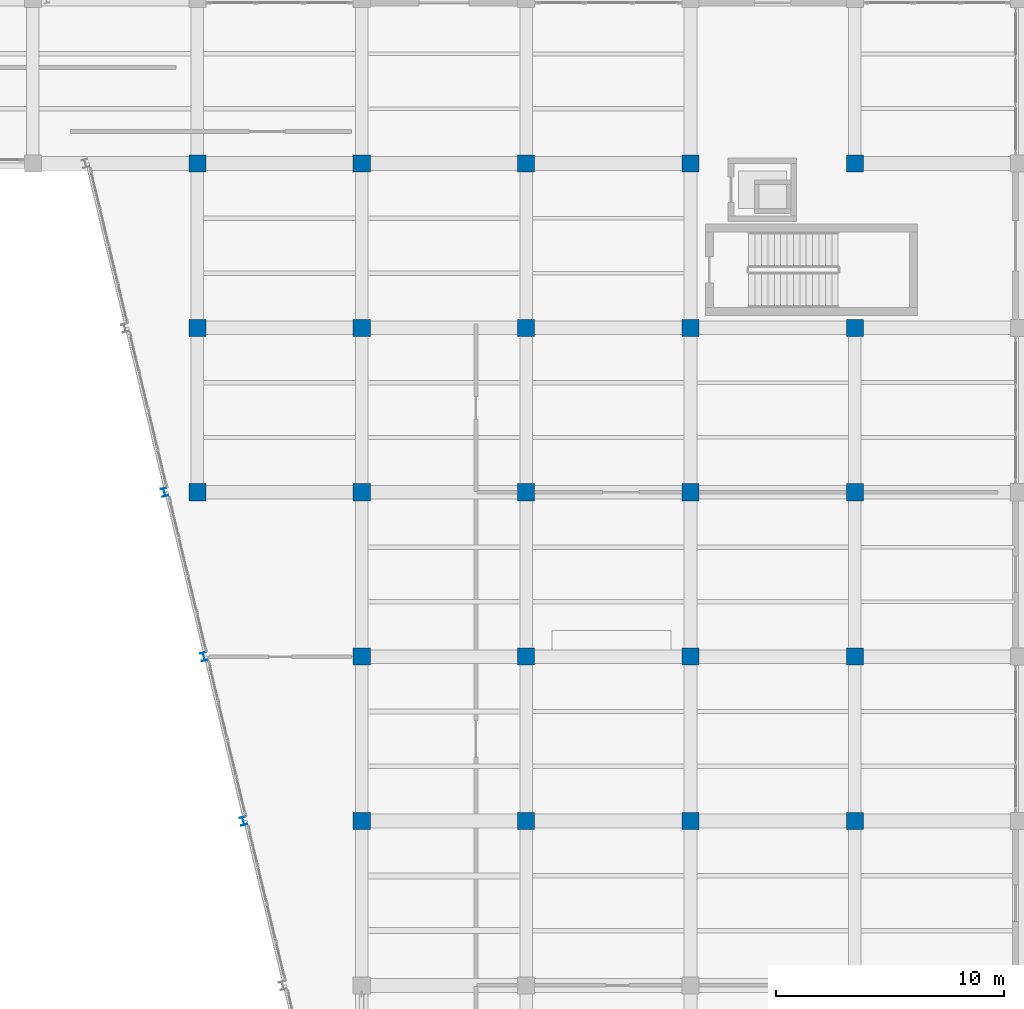
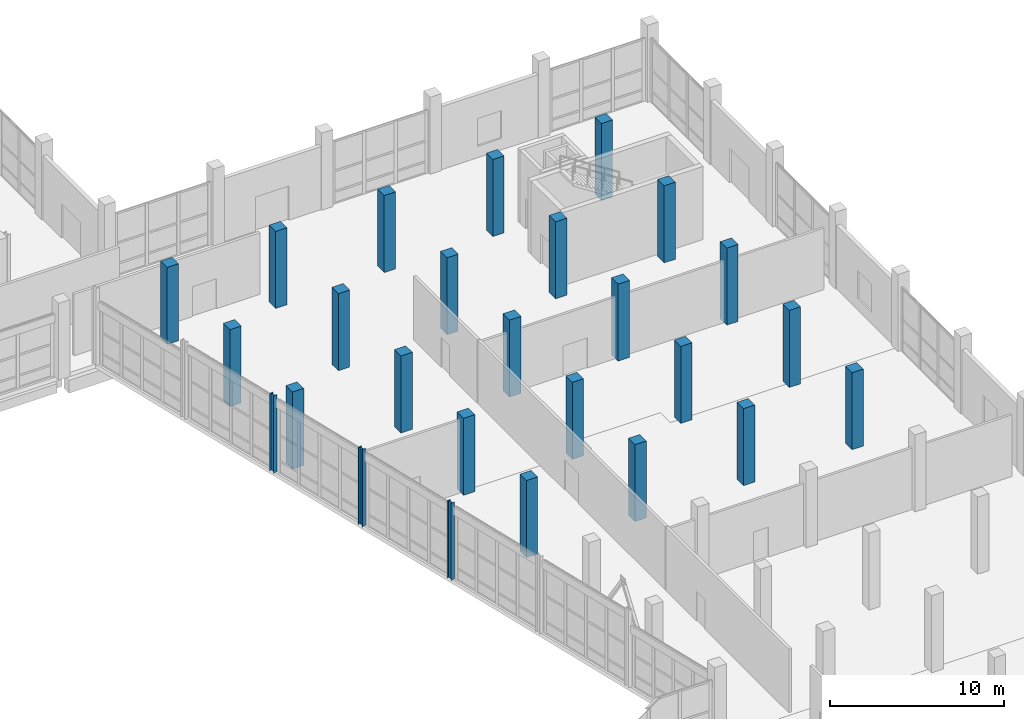
# One storey, part 7 of 137: 26 columns.
"""IFC4 building model written with IfcOpenShell, lengths in metres."""

from ifc_helpers import new_model, si_unit, direction, frame, origin, origin_2d, place, context, subcontext, project, spatial, rectangle, i_section, extrude, material, material_profile, profile_set, type_object, element, save


model = new_model("IFC4")

# Units and contexts
model_context = context("Model", 3, precision=1e-05, world=origin(), true_north=direction((0.0, 1.0)))
body_context = subcontext(model_context, "Body", "Model", "MODEL_VIEW")
ifc_project = project(units=[si_unit("LENGTHUNIT", "METRE"), si_unit("AREAUNIT", "SQUARE_METRE"), si_unit("VOLUMEUNIT", "CUBIC_METRE"), si_unit("PLANEANGLEUNIT", "RADIAN"), si_unit("MASSUNIT", "GRAM", prefix="KILO")], contexts=[model_context])

# Site, building, storey
site_placement = place(None, origin())
site = spatial("IfcSite", under=ifc_project, at=site_placement, CompositionType="ELEMENT")
building_placement = place(site_placement, origin())
building = spatial("IfcBuilding", under=site, at=building_placement, Name="Kalmorath City Hall", CompositionType="ELEMENT")
storey_placement = place(building_placement, origin())
storey = spatial("IfcBuildingStorey", under=building, at=storey_placement, Name="L00", CompositionType="ELEMENT", Elevation=0.0)

# Columns
ifc_material_1 = material(Name="Concrete C50/60", Category="concrete")
ifc_material_profile_1 = material_profile(ifc_material_1, rectangle(XDim=0.75, YDim=0.75, at=origin_2d()), Name="RC-COL-750X750")
ifc_profile_set_1 = profile_set([ifc_material_profile_1], Name="Concrete C50/60")
column_type_1 = type_object("IfcColumnType", Name="Concrete column 750x750", PredefinedType="COLUMN", material=ifc_profile_set_1)
for number, where, z_axis, x_axis, name in (
    (1, (129.60009765625, 79.199951171875, 0.0), (0.0, 0.0, 1.0), (1.0, 0.0, 0.0), "L00 column C3 (19/12)"),
    (2, (129.60009765625, 86.39990234375, 0.0), (0.0, 0.0, 1.0), (1.0, 0.0, 0.0), "L00 column C3 (19/13)"),
    (3, (129.60009765625, 93.60009765625, 0.0), (0.0, 0.0, 1.0), (1.0, 0.0, 0.0), "L00 column C3 (19/14)"),
    (4, (136.800048828125, 64.800048828125, 0.0), (0.0, 0.0, 1.0), (1.0, 0.0, 0.0), "L00 column C3 (20/10)"),
    (5, (136.800048828125, 72.0, 0.0), (0.0, 0.0, 1.0), (1.0, 0.0, 0.0), "L00 column C3 (20/11)"),
    (6, (136.800048828125, 79.199951171875, 0.0), (0.0, 0.0, 1.0), (1.0, 0.0, 0.0), "L00 column C3 (20/12)"),
    (7, (136.800048828125, 86.39990234375, 0.0), (0.0, 0.0, 1.0), (1.0, 0.0, 0.0), "L00 column C3 (20/13)"),
    (8, (136.800048828125, 93.60009765625, 0.0), (0.0, 0.0, 1.0), (1.0, 0.0, 0.0), "L00 column C3 (20/14)"),
    (9, (144.0, 64.800048828125, 0.0), (0.0, 0.0, 1.0), (1.0, 0.0, 0.0), "L00 column C3 (21/10)"),
    (10, (144.0, 72.0, 0.0), (0.0, 0.0, 1.0), (1.0, 0.0, 0.0), "L00 column C3 (21/11)"),
    (11, (144.0, 79.199951171875, 0.0), (0.0, 0.0, 1.0), (1.0, 0.0, 0.0), "L00 column C3 (21/12)"),
    (12, (144.0, 86.39990234375, 0.0), (0.0, 0.0, 1.0), (1.0, 0.0, 0.0), "L00 column C3 (21/13)"),
    (13, (144.0, 93.60009765625, 0.0), (0.0, 0.0, 1.0), (1.0, 0.0, 0.0), "L00 column C3 (21/14)"),
    (14, (151.199951171875, 64.800048828125, 0.0), (0.0, 0.0, 1.0), (1.0, 0.0, 0.0), "L00 column C3 (22/10)"),
    (15, (151.199951171875, 72.0, 0.0), (0.0, 0.0, 1.0), (1.0, 0.0, 0.0), "L00 column C3 (22/11)"),
    (16, (151.199951171875, 79.199951171875, 0.0), (0.0, 0.0, 1.0), (1.0, 0.0, 0.0), "L00 column C3 (22/12)"),
    (17, (151.199951171875, 86.39990234375, 0.0), (0.0, 0.0, 1.0), (1.0, 0.0, 0.0), "L00 column C3 (22/13)"),
    (18, (151.199951171875, 93.60009765625, 0.0), (0.0, 0.0, 1.0), (1.0, 0.0, 0.0), "L00 column C3 (22/14)"),
    (19, (158.39990234375, 64.800048828125, 0.0), (0.0, 0.0, 1.0), (1.0, 0.0, 0.0), "L00 column C3 (23/10)"),
    (20, (158.39990234375, 72.0, 0.0), (0.0, 0.0, 1.0), (1.0, 0.0, 0.0), "L00 column C3 (23/11)"),
    (21, (158.39990234375, 79.199951171875, 0.0), (0.0, 0.0, 1.0), (1.0, 0.0, 0.0), "L00 column C3 (23/12)"),
    (22, (158.39990234375, 86.39990234375, 0.0), (0.0, 0.0, 1.0), (1.0, 0.0, 0.0), "L00 column C3 (23/13)"),
    (23, (158.39990234375, 93.60009765625, 0.0), (0.0, 0.0, 1.0), (1.0, 0.0, 0.0), "L00 column C3 (23/14)"),
):
    element("IfcColumn", number, at=place(storey_placement, frame(where, z_axis=z_axis, x_axis=x_axis)), inside=storey, type_object=column_type_1, Name=name, PredefinedType="COLUMN", context=body_context, shape_type="SweptSolid", body=[
        extrude(rectangle(XDim=0.75, YDim=0.75, at=origin_2d()), origin(), (0.0, 0.0, 1.0), 5.39990234375),
    ])
ifc_material_2 = material(Name="Steel ASTM A992 Grade 50", Category="steel")
ifc_material_profile_2 = material_profile(ifc_material_2, i_section(OverallWidth=0.256103515625, OverallDepth=0.360107421875, WebThickness=0.011474609375, FlangeThickness=0.02001953125, FilletRadius=0.014892578125, at=origin_2d()), Name="W14X74")
ifc_profile_set_2 = profile_set([ifc_material_profile_2], Name="Steel ASTM A992 Grade 50")
column_type_2 = type_object("IfcColumnType", Name="Steel wide-flange column W14X74", PredefinedType="COLUMN", material=ifc_profile_set_2)
for number, where, z_axis, x_axis, name in (
    (24, (131.6142578125, 64.800048828125, 0.0), (0.0, 0.0, 1.0), (0.972369920398, 0.233445363856, 0.0), "L00 library splay column SC4-4"),
    (25, (129.8857421875, 72.0, 0.0), (0.0, 0.0, 1.0), (0.972369920398, 0.233445363856, 0.0), "L00 library splay column SC4-5"),
    (26, (128.1572265625, 79.199951171875, 0.0), (0.0, 0.0, 1.0), (0.972369920398, 0.233445363856, 0.0), "L00 library splay column SC4-6"),
):
    element("IfcColumn", number, at=place(storey_placement, frame(where, z_axis=z_axis, x_axis=x_axis)), inside=storey, type_object=column_type_2, Name=name, PredefinedType="COLUMN", context=body_context, shape_type="SweptSolid", body=[
        extrude(i_section(OverallWidth=0.256103515625, OverallDepth=0.360107421875, WebThickness=0.011474609375, FlangeThickness=0.02001953125, FilletRadius=0.014892578125, at=origin_2d()), origin(), (0.0, 0.0, 1.0), 5.39990234375),
    ])

save(model, "model.ifc")
